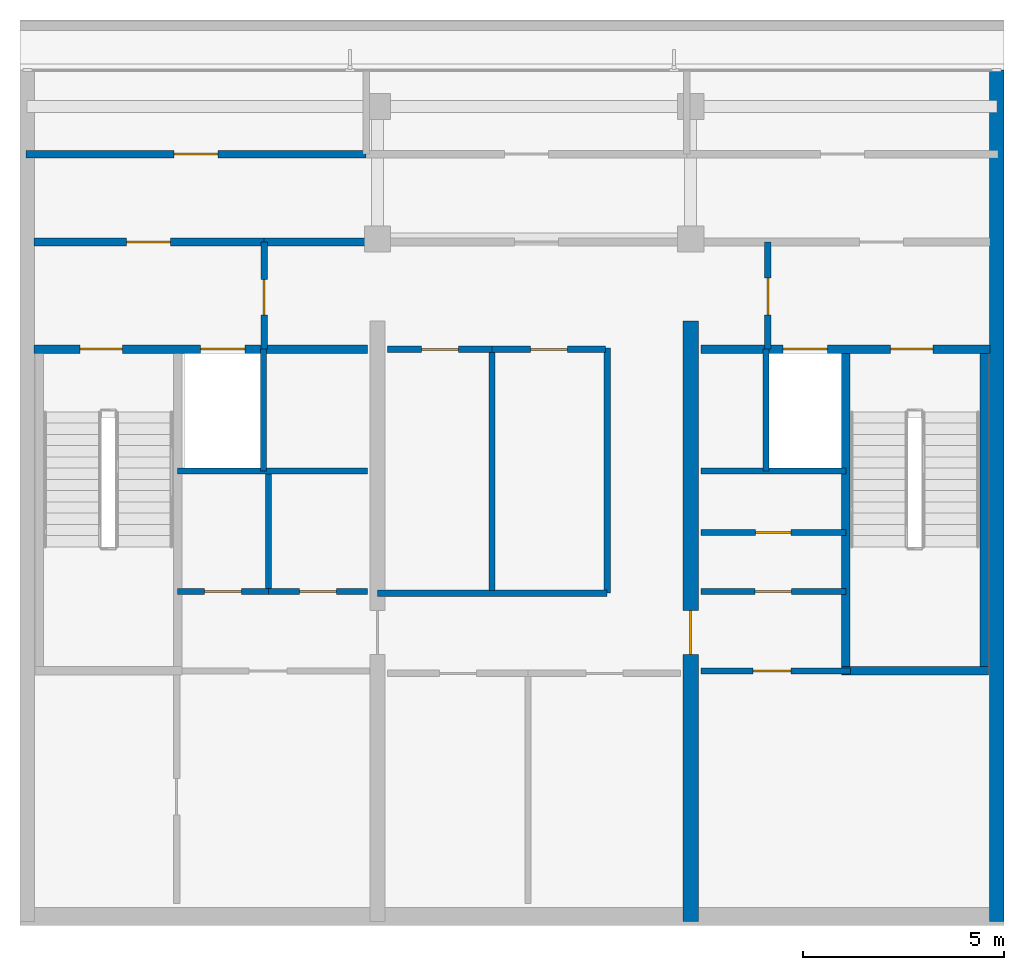
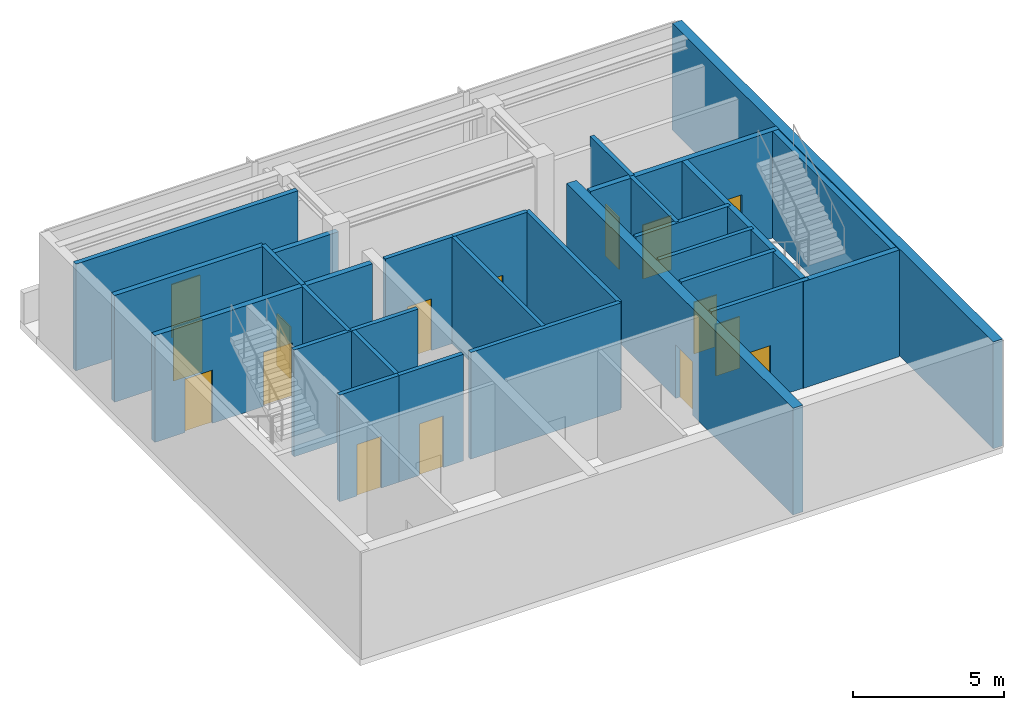
# One storey, part 2 of 4: 27 walls, 16 doors, 16 openings.
"""IFC4 building model written with IfcOpenShell, lengths in metres."""

from ifc_helpers import new_model, si_unit, direction, frame, frame_2d, origin, place, context, subcontext, project, spatial, rectangle, extrude, material, layer, layer_set, type_object, element, fill, save


model = new_model("IFC4")

# Units and contexts
model_context = context("Model", 3, precision=1e-05, world=origin(), true_north=direction((0.0, 1.0)))
body_context = subcontext(model_context, "Body", "Model", "MODEL_VIEW")
ifc_project = project(units=[si_unit("LENGTHUNIT", "METRE"), si_unit("AREAUNIT", "SQUARE_METRE"), si_unit("VOLUMEUNIT", "CUBIC_METRE"), si_unit("PLANEANGLEUNIT", "RADIAN"), si_unit("MASSUNIT", "GRAM", prefix="KILO")], contexts=[model_context])

# Site, building, storey
site_placement = place(None, origin())
site = spatial("IfcSite", under=ifc_project, at=site_placement, CompositionType="ELEMENT")
building_placement = place(site_placement, origin())
building = spatial("IfcBuilding", under=site, at=building_placement, Name="Qalmaran Belvedere Hotel", CompositionType="ELEMENT")
storey_placement = place(building_placement, frame((0.0, 0.0, 312.5)))
storey = spatial("IfcBuildingStorey", under=building, at=storey_placement, Name="C04", CompositionType="ELEMENT", Elevation=312.5)

# Wall, opening, door
ifc_material_1 = material(Name="Concrete C50/60", Category="concrete")
ifc_layer_1 = layer(ifc_material_1, 0.3798828125, Name="Concrete C50/60")
ifc_layer_set_1 = layer_set([ifc_layer_1], Name="Concrete C50/60")
wall_type_1 = type_object("IfcWallType", Name="WL-CORE-380-C50", PredefinedType="SHEAR", material=ifc_layer_set_1)
wall_1_placement = place(storey_placement, frame((37.0, 3.5, 0.0), z_axis=(0.0, 0.0, 1.0), x_axis=(0.0, 1.0, 0.0)))
wall_1 = element("IfcWall", 1, at=wall_1_placement, inside=storey, type_object=wall_type_1, Name="C04 Core East Spine Shear Wall", PredefinedType="SHEAR", context=body_context, shape_type="SweptSolid", body=[
    extrude(rectangle(XDim=14.949951171875, YDim=0.3798828125, at=frame_2d((7.47509765625, 0.0))), origin(), (0.0, 0.0, 1.0), 4.300048828125),
])
opening_1_placement = place(wall_1_placement, frame((6.64990234375, 0.0, 0.0)))
opening_1 = element("IfcOpeningElement", 2, at=opening_1_placement, cuts=wall_1, Name="Opening FD90", PredefinedType="OPENING", context=body_context, shape_type="SweptSolid", body=[
    extrude(rectangle(XDim=1.10009765625, YDim=2.14990234375, at=frame_2d((0.550048828125, 1.074951171875))), frame((0.0, 0.199951171875, 0.0), z_axis=(0.0, -1.0, 0.0), x_axis=(1.0, 0.0, 0.0)), (0.0, 0.0, 1.0), 0.39990234375),
])
ifc_material_2 = material(Name="Steel S355JR", Category="steel")
door_type_1 = type_object("IfcDoorType", Name="DR-FD90-1100X2150", OperationType="NOTDEFINED", PredefinedType="DOOR", material=ifc_material_2)
door_1_placement = place(opening_1_placement, origin())
door_1 = element("IfcDoor", 3, at=door_1_placement, inside=storey, type_object=door_type_1, Name="C04 Core East Cross-Lobby Door", OperationType="SINGLE_SWING_LEFT", OverallHeight=2.14990234375, OverallWidth=1.10009765625, PredefinedType="DOOR", context=body_context, shape_type="SweptSolid", body=[
    extrude(rectangle(XDim=1.10009765625, YDim=2.14990234375, at=frame_2d((0.550048828125, 1.074951171875))), frame((0.0, 0.02490234375, 0.0), z_axis=(0.0, -1.0, 0.0), x_axis=(1.0, 0.0, 0.0)), (0.0, 0.0, 1.0), 0.050048828125),
])
fill(opening_1, door_1)

# Walls
ifc_layer_2 = layer(ifc_material_1, 0.360107421875, Name="Concrete C50/60")
ifc_layer_set_2 = layer_set([ifc_layer_2], Name="Concrete C50/60")
wall_type_2 = type_object("IfcWallType", Name="WL-COREWE-360-EXT", PredefinedType="SHEAR", material=ifc_layer_set_2)
wall_2_placement = place(storey_placement, frame((44.6201171875, 3.5, 0.0), z_axis=(0.0, 0.0, 1.0), x_axis=(0.0, 1.0, 0.0)))
element("IfcWall", 4, at=wall_2_placement, inside=storey, type_object=wall_type_2, Name="C04 East Core Shear Wall", PredefinedType="SHEAR", context=body_context, shape_type="SweptSolid", body=[
    extrude(rectangle(XDim=21.199951171875, YDim=0.360107421875, at=frame_2d((10.60009765625, 0.0))), origin(), (0.0, 0.0, 1.0), 4.300048828125),
])
ifc_material_3 = material(Name="Gypsum Stud Partition")
ifc_layer_3 = layer(ifc_material_3, 0.14990234375, Name="Gypsum Stud Partition")
ifc_layer_set_3 = layer_set([ifc_layer_3], Name="Gypsum Stud Partition")
wall_type_3 = type_object("IfcWallType", Name="WL-INT-150-EI120", PredefinedType="PARTITIONING", material=ifc_layer_set_3)
for number, where, z_axis, x_axis, name in (
    (5, (26.360107421875, 14.719970703125, 0.0), (0.0, 0.0, 1.0), (0.0, 1.0, 0.0), "C04 Partition WL-FF1M-C04"),
    (6, (38.8798828125, 14.719970703125, 0.0), (0.0, 0.0, 1.0), (0.0, 1.0, 0.0), "C04 Partition WL-FF2M-C04"),
):
    element("IfcWall", number, at=place(storey_placement, frame(where, z_axis=z_axis, x_axis=x_axis)), inside=storey, type_object=wall_type_3, Name=name, PredefinedType="PARTITIONING", context=body_context, shape_type="SweptSolid", body=[
        extrude(rectangle(XDim=3.0400390625, YDim=0.14990234375, at=frame_2d((1.52001953125, 0.0))), origin(), (0.0, 0.0, 1.0), 4.300048828125),
    ])
ifc_layer_4 = layer(ifc_material_3, 0.14990234375, Name="Gypsum Stud Partition")
ifc_layer_set_4 = layer_set([ifc_layer_4], Name="Gypsum Stud Partition")
wall_type_4 = type_object("IfcWallType", Name="WL-INT-150-EI60", PredefinedType="PARTITIONING", material=ifc_layer_set_4)
wall_3_placement = place(storey_placement, frame((26.490478515625, 11.719970703125, 0.0), z_axis=(0.0, 0.0, 1.0), x_axis=(0.0, 1.0, 0.0)))
element("IfcWall", 7, at=wall_3_placement, inside=storey, type_object=wall_type_4, Name="C04 Partition WL-C04-KWV1", PredefinedType="PARTITIONING", context=body_context, shape_type="SweptSolid", body=[
    extrude(rectangle(XDim=2.929931640625, YDim=0.14990234375, at=frame_2d((1.46484375, 0.0))), origin(), (0.0, 0.0, 1.0), 4.300048828125),
])

# Wall, opening, door
wall_4_placement = place(storey_placement, frame((37.25, 13.18505859375, 0.0), z_axis=(0.0, 0.0, 1.0), x_axis=(1.0, 0.0, 0.0)))
wall_4 = element("IfcWall", 8, at=wall_4_placement, inside=storey, type_object=wall_type_4, Name="C04 Partition WL-C04-KEHM", PredefinedType="PARTITIONING", context=body_context, shape_type="SweptSolid", body=[
    extrude(rectangle(XDim=3.610107421875, YDim=0.14990234375, at=frame_2d((1.80517578125, 0.0))), origin(), (0.0, 0.0, 1.0), 4.300048828125),
])
opening_2_placement = place(wall_4_placement, frame((1.364990234375, 0.0, 0.0)))
opening_2 = element("IfcOpeningElement", 9, at=opening_2_placement, cuts=wall_4, Name="Opening FD60B", PredefinedType="OPENING", context=body_context, shape_type="SweptSolid", body=[
    extrude(rectangle(XDim=0.8798828125, YDim=2.080078125, at=frame_2d((0.43994140625, 1.0400390625))), frame((0.0, 0.0849609375, 0.0), z_axis=(0.0, -1.0, 0.0), x_axis=(1.0, 0.0, 0.0)), (0.0, 0.0, 1.0), 0.169921875),
])
door_type_2 = type_object("IfcDoorType", Name="DR-FD60B-880X2080", OperationType="NOTDEFINED", PredefinedType="DOOR", material=ifc_material_2)
door_2_placement = place(opening_2_placement, origin())
door_2 = element("IfcDoor", 10, at=door_2_placement, inside=storey, type_object=door_type_2, Name="C04 Fire Main Valve Plant Room Door", OperationType="SINGLE_SWING_RIGHT", OverallHeight=2.080078125, OverallWidth=0.8798828125, PredefinedType="DOOR", context=body_context, shape_type="SweptSolid", body=[
    extrude(rectangle(XDim=0.8798828125, YDim=2.080078125, at=frame_2d((0.43994140625, 1.0400390625))), frame((0.0, 0.02490234375, 0.0), z_axis=(0.0, -1.0, 0.0), x_axis=(1.0, 0.0, 0.0)), (0.0, 0.0, 1.0), 0.050048828125),
])
fill(opening_2, door_2)

# Wall
wall_5_placement = place(storey_placement, frame((32.056396484375, 11.739990234375, 0.0), z_axis=(0.0, 0.0, 1.0), x_axis=(0.0, 1.0, 0.0)))
element("IfcWall", 11, at=wall_5_placement, inside=storey, type_object=wall_type_4, Name="C04 Partition WL-C04-KPMV1", PredefinedType="PARTITIONING", context=body_context, shape_type="SweptSolid", body=[
    extrude(rectangle(XDim=6.010009765625, YDim=0.14990234375, at=frame_2d((3.0048828125, 0.0))), origin(), (0.0, 0.0, 1.0), 4.300048828125),
])

# Wall, opening, door
ifc_layer_5 = layer(ifc_material_3, 0.159912109375, Name="Gypsum Stud Partition")
ifc_layer_set_5 = layer_set([ifc_layer_5], Name="Gypsum Stud Partition")
wall_type_5 = type_object("IfcWallType", Name="WL-INT-160-EI120", PredefinedType="PARTITIONING", material=ifc_layer_set_5)
wall_6_placement = place(storey_placement, frame((26.3798828125, 17.760009765625, 0.0), z_axis=(0.0, 0.0, 1.0), x_axis=(0.0, 1.0, 0.0)))
wall_6 = element("IfcWall", 12, at=wall_6_placement, inside=storey, type_object=wall_type_5, Name="C04 Partition WL-FFSV1-C04", PredefinedType="PARTITIONING", context=body_context, shape_type="SweptSolid", body=[
    extrude(rectangle(XDim=2.659912109375, YDim=0.159912109375, at=frame_2d((1.330078125, 0.0))), origin(), (0.0, 0.0, 1.0), 4.300048828125),
])
opening_3_placement = place(wall_6_placement, frame((0.85009765625, 0.0, 0.0)))
opening_3 = element("IfcOpeningElement", 13, at=opening_3_placement, cuts=wall_6, Name="Opening FD60B", PredefinedType="OPENING", context=body_context, shape_type="SweptSolid", body=[
    extrude(rectangle(XDim=0.8798828125, YDim=2.080078125, at=frame_2d((0.43994140625, 1.0400390625))), frame((0.0, 0.08984375, 0.0), z_axis=(0.0, -1.0, 0.0), x_axis=(1.0, 0.0, 0.0)), (0.0, 0.0, 1.0), 0.179931640625),
])
door_3_placement = place(opening_3_placement, origin())
door_3 = element("IfcDoor", 14, at=door_3_placement, inside=storey, type_object=door_type_2, Name="C04 Service Lobby West Door", OperationType="SINGLE_SWING_RIGHT", OverallHeight=2.080078125, OverallWidth=0.8798828125, PredefinedType="DOOR", context=body_context, shape_type="SweptSolid", body=[
    extrude(rectangle(XDim=0.8798828125, YDim=2.080078125, at=frame_2d((0.43994140625, 1.0400390625))), frame((0.0, 0.02490234375, 0.0), z_axis=(0.0, -1.0, 0.0), x_axis=(1.0, 0.0, 0.0)), (0.0, 0.0, 1.0), 0.050048828125),
])
fill(opening_3, door_3)

wall_7_placement = place(storey_placement, frame((38.919921875, 17.760009765625, 0.0), z_axis=(0.0, 0.0, 1.0), x_axis=(0.0, 1.0, 0.0)))
wall_7 = element("IfcWall", 15, at=wall_7_placement, inside=storey, type_object=wall_type_5, Name="C04 Partition WL-FFSV2-C04", PredefinedType="PARTITIONING", context=body_context, shape_type="SweptSolid", body=[
    extrude(rectangle(XDim=2.659912109375, YDim=0.159912109375, at=frame_2d((1.330078125, 0.0))), origin(), (0.0, 0.0, 1.0), 4.300048828125),
])
opening_4_placement = place(wall_7_placement, frame((1.77001953125, 0.0, 0.0), z_axis=(0.0, 0.0, 1.0), x_axis=(-1.0, 0.0, 0.0)))
opening_4 = element("IfcOpeningElement", 16, at=opening_4_placement, cuts=wall_7, Name="Opening FD60S1", PredefinedType="OPENING", context=body_context, shape_type="SweptSolid", body=[
    extrude(rectangle(XDim=0.919921875, YDim=2.080078125, at=frame_2d((0.4599609375, 1.0400390625))), frame((0.0, 0.08984375, 0.0), z_axis=(0.0, -1.0, 0.0), x_axis=(1.0, 0.0, 0.0)), (0.0, 0.0, 1.0), 0.179931640625),
])
ifc_material_4 = material(Name="Engineered Oak Veneer")
door_type_3 = type_object("IfcDoorType", Name="DR-FD60S-920X2080", OperationType="NOTDEFINED", PredefinedType="DOOR", material=ifc_material_4)
door_4_placement = place(opening_4_placement, origin())
door_4 = element("IfcDoor", 17, at=door_4_placement, inside=storey, type_object=door_type_3, Name="C04 Service Lobby East Door", OperationType="SINGLE_SWING_LEFT", OverallHeight=2.080078125, OverallWidth=0.919921875, PredefinedType="DOOR", context=body_context, shape_type="SweptSolid", body=[
    extrude(rectangle(XDim=0.919921875, YDim=2.080078125, at=frame_2d((0.4599609375, 1.0400390625))), frame((0.0, 0.02490234375, 0.0), z_axis=(0.0, -1.0, 0.0), x_axis=(1.0, 0.0, 0.0)), (0.0, 0.0, 1.0), 0.050048828125),
])
fill(opening_4, door_4)

# Walls
wall_8_placement = place(storey_placement, frame((24.219970703125, 14.719970703125, 0.0), z_axis=(0.0, 0.0, 1.0), x_axis=(1.0, 0.0, 0.0)))
element("IfcWall", 18, at=wall_8_placement, inside=storey, type_object=wall_type_5, Name="C04 Partition WL-FF1S-C04", PredefinedType="PARTITIONING", context=body_context, shape_type="SweptSolid", body=[
    extrude(rectangle(XDim=4.72998046875, YDim=0.159912109375, at=frame_2d((2.364990234375, 0.0))), origin(), (0.0, 0.0, 1.0), 4.300048828125),
])
wall_9_placement = place(storey_placement, frame((37.25, 14.719970703125, 0.0), z_axis=(0.0, 0.0, 1.0), x_axis=(1.0, 0.0, 0.0)))
element("IfcWall", 19, at=wall_9_placement, inside=storey, type_object=wall_type_5, Name="C04 Partition WL-FF2S-C04", PredefinedType="PARTITIONING", context=body_context, shape_type="SweptSolid", body=[
    extrude(rectangle(XDim=3.610107421875, YDim=0.159912109375, at=frame_2d((1.80517578125, 0.0))), origin(), (0.0, 0.0, 1.0), 4.300048828125),
])

# Wall, opening, door
ifc_layer_6 = layer(ifc_material_3, 0.159912109375, Name="Gypsum Stud Partition")
ifc_layer_set_6 = layer_set([ifc_layer_6], Name="Gypsum Stud Partition")
wall_type_6 = type_object("IfcWallType", Name="WL-INT-160-EI60", PredefinedType="PARTITIONING", material=ifc_layer_set_6)
wall_10_placement = place(storey_placement, frame((24.219970703125, 11.719970703125, 0.0), z_axis=(0.0, 0.0, 1.0), x_axis=(1.0, 0.0, 0.0)))
wall_10 = element("IfcWall", 20, at=wall_10_placement, inside=storey, type_object=wall_type_6, Name="C04 Partition WL-C04-KWE1", PredefinedType="PARTITIONING", context=body_context, shape_type="SweptSolid", body=[
    extrude(rectangle(XDim=2.2705078125, YDim=0.159912109375, at=frame_2d((1.13525390625, 0.0))), origin(), (0.0, 0.0, 1.0), 4.300048828125),
])
opening_5_placement = place(wall_10_placement, frame((0.67529296875, 0.0, 0.0)))
opening_5 = element("IfcOpeningElement", 21, at=opening_5_placement, cuts=wall_10, Name="Opening FD60S1", PredefinedType="OPENING", context=body_context, shape_type="SweptSolid", body=[
    extrude(rectangle(XDim=0.919921875, YDim=2.080078125, at=frame_2d((0.4599609375, 1.0400390625))), frame((0.0, 0.08984375, 0.0), z_axis=(0.0, -1.0, 0.0), x_axis=(1.0, 0.0, 0.0)), (0.0, 0.0, 1.0), 0.179931640625),
])
door_5_placement = place(opening_5_placement, origin())
door_5 = element("IfcDoor", 22, at=door_5_placement, inside=storey, type_object=door_type_3, Name="C04 Telecom Control Plant Room Door", OperationType="SINGLE_SWING_LEFT", OverallHeight=2.080078125, OverallWidth=0.919921875, PredefinedType="DOOR", context=body_context, shape_type="SweptSolid", body=[
    extrude(rectangle(XDim=0.919921875, YDim=2.080078125, at=frame_2d((0.4599609375, 1.0400390625))), frame((0.0, 0.02490234375, 0.0), z_axis=(0.0, -1.0, 0.0), x_axis=(1.0, 0.0, 0.0)), (0.0, 0.0, 1.0), 0.050048828125),
])
fill(opening_5, door_5)

wall_11_placement = place(storey_placement, frame((26.490478515625, 11.719970703125, 0.0), z_axis=(0.0, 0.0, 1.0), x_axis=(1.0, 0.0, 0.0)))
wall_11 = element("IfcWall", 23, at=wall_11_placement, inside=storey, type_object=wall_type_6, Name="C04 Partition WL-C04-KWE2", PredefinedType="PARTITIONING", context=body_context, shape_type="SweptSolid", body=[
    extrude(rectangle(XDim=2.45947265625, YDim=0.159912109375, at=frame_2d((1.229736328125, 0.0))), origin(), (0.0, 0.0, 1.0), 4.300048828125),
])
opening_6_placement = place(wall_11_placement, frame((0.769775390625, 0.0, 0.0)))
opening_6 = element("IfcOpeningElement", 24, at=opening_6_placement, cuts=wall_11, Name="Opening FD60S1", PredefinedType="OPENING", context=body_context, shape_type="SweptSolid", body=[
    extrude(rectangle(XDim=0.919921875, YDim=2.080078125, at=frame_2d((0.4599609375, 1.0400390625))), frame((0.0, 0.08984375, 0.0), z_axis=(0.0, -1.0, 0.0), x_axis=(1.0, 0.0, 0.0)), (0.0, 0.0, 1.0), 0.179931640625),
])
door_6_placement = place(opening_6_placement, origin())
door_6 = element("IfcDoor", 25, at=door_6_placement, inside=storey, type_object=door_type_3, Name="C04 Booster Valve Plant Room Door", OperationType="SINGLE_SWING_RIGHT", OverallHeight=2.080078125, OverallWidth=0.919921875, PredefinedType="DOOR", context=body_context, shape_type="SweptSolid", body=[
    extrude(rectangle(XDim=0.919921875, YDim=2.080078125, at=frame_2d((0.4599609375, 1.0400390625))), frame((0.0, 0.02490234375, 0.0), z_axis=(0.0, -1.0, 0.0), x_axis=(1.0, 0.0, 0.0)), (0.0, 0.0, 1.0), 0.050048828125),
])
fill(opening_6, door_6)

wall_12_placement = place(storey_placement, frame((37.25, 11.719970703125, 0.0), z_axis=(0.0, 0.0, 1.0), x_axis=(1.0, 0.0, 0.0)))
wall_12 = element("IfcWall", 26, at=wall_12_placement, inside=storey, type_object=wall_type_6, Name="C04 Partition WL-C04-KEE1", PredefinedType="PARTITIONING", context=body_context, shape_type="SweptSolid", body=[
    extrude(rectangle(XDim=3.610107421875, YDim=0.159912109375, at=frame_2d((1.80517578125, 0.0))), origin(), (0.0, 0.0, 1.0), 4.300048828125),
])
opening_7_placement = place(wall_12_placement, frame((1.344970703125, 0.0, 0.0)))
opening_7 = element("IfcOpeningElement", 27, at=opening_7_placement, cuts=wall_12, Name="Opening FD60S1", PredefinedType="OPENING", context=body_context, shape_type="SweptSolid", body=[
    extrude(rectangle(XDim=0.919921875, YDim=2.080078125, at=frame_2d((0.4599609375, 1.0400390625))), frame((0.0, 0.08984375, 0.0), z_axis=(0.0, -1.0, 0.0), x_axis=(1.0, 0.0, 0.0)), (0.0, 0.0, 1.0), 0.179931640625),
])
door_7_placement = place(opening_7_placement, origin())
door_7 = element("IfcDoor", 28, at=door_7_placement, inside=storey, type_object=door_type_3, Name="C04 Low Voltage Switch Plant Room Door", OperationType="SINGLE_SWING_LEFT", OverallHeight=2.080078125, OverallWidth=0.919921875, PredefinedType="DOOR", context=body_context, shape_type="SweptSolid", body=[
    extrude(rectangle(XDim=0.919921875, YDim=2.080078125, at=frame_2d((0.4599609375, 1.0400390625))), frame((0.0, 0.02490234375, 0.0), z_axis=(0.0, -1.0, 0.0), x_axis=(1.0, 0.0, 0.0)), (0.0, 0.0, 1.0), 0.050048828125),
])
fill(opening_7, door_7)

wall_13_placement = place(storey_placement, frame((37.25, 9.739990234375, 0.0), z_axis=(0.0, 0.0, 1.0), x_axis=(1.0, 0.0, 0.0)))
wall_13 = element("IfcWall", 29, at=wall_13_placement, inside=storey, type_object=wall_type_6, Name="C04 Partition WL-PHFR-C04", PredefinedType="PARTITIONING", context=body_context, shape_type="SweptSolid", body=[
    extrude(rectangle(XDim=3.72998046875, YDim=0.159912109375, at=frame_2d((1.864990234375, 0.0))), origin(), (0.0, 0.0, 1.0), 4.300048828125),
])
opening_8_placement = place(wall_13_placement, frame((2.25, 0.0, 0.0), z_axis=(0.0, 0.0, 1.0), x_axis=(-1.0, 0.0, 0.0)))
opening_8 = element("IfcOpeningElement", 30, at=opening_8_placement, cuts=wall_13, Name="Opening FD60", PredefinedType="OPENING", context=body_context, shape_type="SweptSolid", body=[
    extrude(rectangle(XDim=0.949951171875, YDim=2.14990234375, at=frame_2d((0.47509765625, 1.074951171875))), frame((0.0, 0.08984375, 0.0), z_axis=(0.0, -1.0, 0.0), x_axis=(1.0, 0.0, 0.0)), (0.0, 0.0, 1.0), 0.179931640625),
])
door_type_4 = type_object("IfcDoorType", Name="DR-FD60-950X2150", OperationType="NOTDEFINED", PredefinedType="DOOR", material=ifc_material_4)
door_8_placement = place(opening_8_placement, origin())
door_8 = element("IfcDoor", 31, at=door_8_placement, inside=storey, type_object=door_type_4, Name="C04 Freed PH Room Door", OperationType="SINGLE_SWING_LEFT", OverallHeight=2.14990234375, OverallWidth=0.949951171875, PredefinedType="DOOR", context=body_context, shape_type="SweptSolid", body=[
    extrude(rectangle(XDim=0.949951171875, YDim=2.14990234375, at=frame_2d((0.47509765625, 1.074951171875))), frame((0.0, 0.02490234375, 0.0), z_axis=(0.0, -1.0, 0.0), x_axis=(1.0, 0.0, 0.0)), (0.0, 0.0, 1.0), 0.050048828125),
])
fill(opening_8, door_8)

# Walls
wall_14_placement = place(storey_placement, frame((34.919921875, 11.679931640625, 0.0), z_axis=(0.0, 0.0, 1.0), x_axis=(0.0, 1.0, 0.0)))
element("IfcWall", 32, at=wall_14_placement, inside=storey, type_object=wall_type_6, Name="C04 Partition WL-CLLV-C04", PredefinedType="PARTITIONING", context=body_context, shape_type="SweptSolid", body=[
    extrude(rectangle(XDim=6.10009765625, YDim=0.159912109375, at=frame_2d((3.050048828125, 0.0))), origin(), (0.0, 0.0, 1.0), 4.300048828125),
])
wall_15_placement = place(storey_placement, frame((29.199951171875, 11.679931640625, 0.0), z_axis=(0.0, 0.0, 1.0), x_axis=(1.0, 0.0, 0.0)))
element("IfcWall", 33, at=wall_15_placement, inside=storey, type_object=wall_type_6, Name="C04 Partition WL-PMFS-C04", PredefinedType="PARTITIONING", context=body_context, shape_type="SweptSolid", body=[
    extrude(rectangle(XDim=5.719970703125, YDim=0.159912109375, at=frame_2d((2.85986328125, 0.0))), origin(), (0.0, 0.0, 1.0), 4.300048828125),
])

# Wall, opening, door
wall_16_placement = place(storey_placement, frame((29.449951171875, 17.75, 0.0), z_axis=(0.0, 0.0, 1.0), x_axis=(1.0, 0.0, 0.0)))
wall_16 = element("IfcWall", 34, at=wall_16_placement, inside=storey, type_object=wall_type_6, Name="C04 Partition WL-C04-KPME1", PredefinedType="PARTITIONING", context=body_context, shape_type="SweptSolid", body=[
    extrude(rectangle(XDim=2.6064453125, YDim=0.159912109375, at=frame_2d((1.30322265625, 0.0))), origin(), (0.0, 0.0, 1.0), 4.300048828125),
])
opening_9_placement = place(wall_16_placement, frame((1.76318359375, 0.0, 0.0), z_axis=(0.0, 0.0, 1.0), x_axis=(-1.0, 0.0, 0.0)))
opening_9 = element("IfcOpeningElement", 35, at=opening_9_placement, cuts=wall_16, Name="Opening FD60S1", PredefinedType="OPENING", context=body_context, shape_type="SweptSolid", body=[
    extrude(rectangle(XDim=0.919921875, YDim=2.080078125, at=frame_2d((0.4599609375, 1.0400390625))), frame((0.0, 0.08984375, 0.0), z_axis=(0.0, -1.0, 0.0), x_axis=(1.0, 0.0, 0.0)), (0.0, 0.0, 1.0), 0.179931640625),
])
door_9_placement = place(opening_9_placement, origin())
door_9 = element("IfcDoor", 36, at=door_9_placement, inside=storey, type_object=door_type_3, Name="C04 Ventilation Fan Plant Room Door", OperationType="SINGLE_SWING_RIGHT", OverallHeight=2.080078125, OverallWidth=0.919921875, PredefinedType="DOOR", context=body_context, shape_type="SweptSolid", body=[
    extrude(rectangle(XDim=0.919921875, YDim=2.080078125, at=frame_2d((0.4599609375, 1.0400390625))), frame((0.0, 0.02490234375, 0.0), z_axis=(0.0, -1.0, 0.0), x_axis=(1.0, 0.0, 0.0)), (0.0, 0.0, 1.0), 0.050048828125),
])
fill(opening_9, door_9)

wall_17_placement = place(storey_placement, frame((32.056396484375, 17.75, 0.0), z_axis=(0.0, 0.0, 1.0), x_axis=(1.0, 0.0, 0.0)))
wall_17 = element("IfcWall", 37, at=wall_17_placement, inside=storey, type_object=wall_type_6, Name="C04 Partition WL-C04-KPME2", PredefinedType="PARTITIONING", context=body_context, shape_type="SweptSolid", body=[
    extrude(rectangle(XDim=2.823486328125, YDim=0.159912109375, at=frame_2d((1.41162109375, 0.0))), origin(), (0.0, 0.0, 1.0), 4.300048828125),
])
opening_10_placement = place(wall_17_placement, frame((1.871826171875, 0.0, 0.0), z_axis=(0.0, 0.0, 1.0), x_axis=(-1.0, 0.0, 0.0)))
opening_10 = element("IfcOpeningElement", 38, at=opening_10_placement, cuts=wall_17, Name="Opening FD60S1", PredefinedType="OPENING", context=body_context, shape_type="SweptSolid", body=[
    extrude(rectangle(XDim=0.919921875, YDim=2.080078125, at=frame_2d((0.4599609375, 1.0400390625))), frame((0.0, 0.08984375, 0.0), z_axis=(0.0, -1.0, 0.0), x_axis=(1.0, 0.0, 0.0)), (0.0, 0.0, 1.0), 0.179931640625),
])
door_10_placement = place(opening_10_placement, origin())
door_10 = element("IfcDoor", 39, at=door_10_placement, inside=storey, type_object=door_type_3, Name="C04 Auxiliary Fan Plant Room Door", OperationType="SINGLE_SWING_LEFT", OverallHeight=2.080078125, OverallWidth=0.919921875, PredefinedType="DOOR", context=body_context, shape_type="SweptSolid", body=[
    extrude(rectangle(XDim=0.919921875, YDim=2.080078125, at=frame_2d((0.4599609375, 1.0400390625))), frame((0.0, 0.02490234375, 0.0), z_axis=(0.0, -1.0, 0.0), x_axis=(1.0, 0.0, 0.0)), (0.0, 0.0, 1.0), 0.050048828125),
])
fill(opening_10, door_10)

ifc_layer_7 = layer(ifc_material_3, 0.179931640625, Name="Gypsum Stud Partition")
ifc_layer_set_7 = layer_set([ifc_layer_7], Name="Gypsum Stud Partition")
wall_type_7 = type_object("IfcWallType", Name="WL-INT-180-EI120", PredefinedType="PARTITIONING", material=ifc_layer_set_7)
wall_18_placement = place(storey_placement, frame((20.449951171875, 22.610107421875, 0.0), z_axis=(0.0, 0.0, 1.0), x_axis=(1.0, 0.0, 0.0)))
wall_18 = element("IfcWall", 40, at=wall_18_placement, inside=storey, type_object=wall_type_7, Name="C04 Partition WL-C04-CCN1", PredefinedType="PARTITIONING", context=body_context, shape_type="SweptSolid", body=[
    extrude(rectangle(XDim=8.469970703125, YDim=0.179931640625, at=frame_2d((4.23486328125, 0.0))), origin(), (0.0, 0.0, 1.0), 4.300048828125),
])
opening_11_placement = place(wall_18_placement, frame((3.68505859375, 0.0, 0.0)))
opening_11 = element("IfcOpeningElement", 41, at=opening_11_placement, cuts=wall_18, Name="Opening FD90", PredefinedType="OPENING", context=body_context, shape_type="SweptSolid", body=[
    extrude(rectangle(XDim=1.10009765625, YDim=2.14990234375, at=frame_2d((0.550048828125, 1.074951171875))), frame((0.0, 0.10009765625, 0.0), z_axis=(0.0, -1.0, 0.0), x_axis=(1.0, 0.0, 0.0)), (0.0, 0.0, 1.0), 0.199951171875),
])
door_11_placement = place(opening_11_placement, origin())
door_11 = element("IfcDoor", 42, at=door_11_placement, inside=storey, type_object=door_type_1, Name="C04 Heat Rejection Chiller Plant Room Door", OperationType="SINGLE_SWING_RIGHT", OverallHeight=2.14990234375, OverallWidth=1.10009765625, PredefinedType="DOOR", context=body_context, shape_type="SweptSolid", body=[
    extrude(rectangle(XDim=1.10009765625, YDim=2.14990234375, at=frame_2d((0.550048828125, 1.074951171875))), frame((0.0, 0.02490234375, 0.0), z_axis=(0.0, -1.0, 0.0), x_axis=(1.0, 0.0, 0.0)), (0.0, 0.0, 1.0), 0.050048828125),
])
fill(opening_11, door_11)

ifc_material_5 = material(Name="Concrete C30/37 Blockwork", Category="masonry")
ifc_layer_8 = layer(ifc_material_5, 0.199951171875, Name="Concrete C30/37 Blockwork")
ifc_layer_set_8 = layer_set([ifc_layer_8], Name="Concrete C30/37 Blockwork")
wall_type_8 = type_object("IfcWallType", Name="WL-INT-200-EI120", PredefinedType="PARTITIONING", material=ifc_layer_set_8)
wall_19_placement = place(storey_placement, frame((20.64990234375, 20.419921875, 0.0), z_axis=(0.0, 0.0, 1.0), x_axis=(1.0, 0.0, 0.0)))
wall_19 = element("IfcWall", 43, at=wall_19_placement, inside=storey, type_object=wall_type_8, Name="C04 Partition WL-CN1A-C04", PredefinedType="PARTITIONING", context=body_context, shape_type="SweptSolid", body=[
    extrude(rectangle(XDim=5.72998046875, YDim=0.199951171875, at=frame_2d((2.864990234375, 0.0))), origin(), (0.0, 0.0, 1.0), 4.300048828125),
])
opening_12_placement = place(wall_19_placement, frame((2.300048828125, 0.0, 0.0)))
opening_12 = element("IfcOpeningElement", 44, at=opening_12_placement, cuts=wall_19, Name="Opening FD90", PredefinedType="OPENING", context=body_context, shape_type="SweptSolid", body=[
    extrude(rectangle(XDim=1.10009765625, YDim=2.14990234375, at=frame_2d((0.550048828125, 1.074951171875))), frame((0.0, 0.10986328125, 0.0), z_axis=(0.0, -1.0, 0.0), x_axis=(1.0, 0.0, 0.0)), (0.0, 0.0, 1.0), 0.219970703125),
])
door_12_placement = place(opening_12_placement, origin())
door_12 = element("IfcDoor", 45, at=door_12_placement, inside=storey, type_object=door_type_1, Name="C04 FF1 Lobby Corridor Door", OperationType="SINGLE_SWING_RIGHT", OverallHeight=2.14990234375, OverallWidth=1.10009765625, PredefinedType="DOOR", context=body_context, shape_type="SweptSolid", body=[
    extrude(rectangle(XDim=1.10009765625, YDim=2.14990234375, at=frame_2d((0.550048828125, 1.074951171875))), frame((0.0, 0.02490234375, 0.0), z_axis=(0.0, -1.0, 0.0), x_axis=(1.0, 0.0, 0.0)), (0.0, 0.0, 1.0), 0.050048828125),
])
fill(opening_12, door_12)

# Wall
wall_20_placement = place(storey_placement, frame((26.3798828125, 20.419921875, 0.0), z_axis=(0.0, 0.0, 1.0), x_axis=(1.0, 0.0, 0.0)))
element("IfcWall", 46, at=wall_20_placement, inside=storey, type_object=wall_type_8, Name="C04 Partition WL-CN1B-C04", PredefinedType="PARTITIONING", context=body_context, shape_type="SweptSolid", body=[
    extrude(rectangle(XDim=2.820068359375, YDim=0.199951171875, at=frame_2d((1.41015625, 0.0))), origin(), (0.0, 0.0, 1.0), 3.885009765625),
])

# Wall, openings, doors
ifc_layer_9 = layer(ifc_material_1, 0.2099609375, Name="Concrete C50/60")
ifc_layer_set_9 = layer_set([ifc_layer_9], Name="Concrete C50/60")
wall_type_9 = type_object("IfcWallType", Name="WL-STAIR-210-C50", PredefinedType="SHEAR", material=ifc_layer_set_9)
wall_21_placement = place(storey_placement, frame((20.64990234375, 17.7548828125, 0.0), z_axis=(0.0, 0.0, 1.0), x_axis=(1.0, 0.0, 0.0)))
wall_21 = element("IfcWall", 47, at=wall_21_placement, inside=storey, type_object=wall_type_9, Name="C04 West Lobby and Stair ST-1 North Bearing Wall", PredefinedType="SHEAR", context=body_context, shape_type="SweptSolid", body=[
    extrude(rectangle(XDim=8.300048828125, YDim=0.2099609375, at=frame_2d((4.14990234375, 0.0))), origin(), (0.0, 0.0, 1.0), 4.300048828125),
])
opening_13_placement = place(wall_21_placement, frame((2.199951171875, 0.0, 0.0), z_axis=(0.0, 0.0, 1.0), x_axis=(-1.0, 0.0, 0.0)))
opening_13 = element("IfcOpeningElement", 48, at=opening_13_placement, cuts=wall_21, Name="Opening FD90S2", PredefinedType="OPENING", context=body_context, shape_type="SweptSolid", body=[
    extrude(rectangle(XDim=1.050048828125, YDim=2.14990234375, at=frame_2d((0.52490234375, 1.074951171875))), frame((0.0, 0.114990234375, 0.0), z_axis=(0.0, -1.0, 0.0), x_axis=(1.0, 0.0, 0.0)), (0.0, 0.0, 1.0), 0.22998046875),
])
opening_14_placement = place(wall_21_placement, frame((4.14990234375, 0.0, 0.0)))
opening_14 = element("IfcOpeningElement", 49, at=opening_14_placement, cuts=wall_21, Name="Opening LD-FF", PredefinedType="OPENING", context=body_context, shape_type="SweptSolid", body=[
    extrude(rectangle(XDim=1.10009765625, YDim=2.179931640625, at=frame_2d((0.550048828125, 1.08984375))), frame((0.0, 0.114990234375, 0.0), z_axis=(0.0, -1.0, 0.0), x_axis=(1.0, 0.0, 0.0)), (0.0, 0.0, 1.0), 0.22998046875),
])
door_type_5 = type_object("IfcDoorType", Name="DR-FD90S-1050X2150", OperationType="NOTDEFINED", PredefinedType="DOOR", material=ifc_material_2)
door_13_placement = place(opening_13_placement, origin())
door_13 = element("IfcDoor", 50, at=door_13_placement, inside=storey, type_object=door_type_5, Name="C04 Stair ST-1 Door", OperationType="SINGLE_SWING_RIGHT", OverallHeight=2.14990234375, OverallWidth=1.050048828125, PredefinedType="DOOR", context=body_context, shape_type="SweptSolid", body=[
    extrude(rectangle(XDim=1.050048828125, YDim=2.14990234375, at=frame_2d((0.52490234375, 1.074951171875))), frame((0.0, 0.02490234375, 0.0), z_axis=(0.0, -1.0, 0.0), x_axis=(1.0, 0.0, 0.0)), (0.0, 0.0, 1.0), 0.050048828125),
])
fill(opening_13, door_13)
ifc_material_6 = material(Name="Stainless Steel 1.4401", Category="steel")
door_type_6 = type_object("IfcDoorType", Name="DR-LIFT-FF-1100X2180", OperationType="DOUBLE_DOOR_SLIDING", PredefinedType="DOOR", material=ifc_material_6)
door_14_placement = place(opening_14_placement, origin())
door_14 = element("IfcDoor", 51, at=door_14_placement, inside=storey, type_object=door_type_6, Name="C04 FF1 Lift Landing Door", OperationType="DOUBLE_DOOR_SLIDING", OverallHeight=2.179931640625, OverallWidth=1.10009765625, PredefinedType="DOOR", context=body_context, shape_type="SweptSolid", body=[
    extrude(rectangle(XDim=1.10009765625, YDim=2.179931640625, at=frame_2d((0.550048828125, 1.08984375))), frame((0.0, 0.02490234375, 0.0), z_axis=(0.0, -1.0, 0.0), x_axis=(1.0, 0.0, 0.0)), (0.0, 0.0, 1.0), 0.050048828125),
])
fill(opening_14, door_14)

# Walls
for number, where, z_axis, x_axis, name in (
    (52, (40.85498046875, 9.7451171875, 0.0), (0.0, 0.0, 1.0), (0.0, 1.0, 0.0), "C04 Stair ST-2 West Bearing Wall"),
    (53, (44.304931640625, 9.7451171875, 0.0), (0.0, 0.0, 1.0), (0.0, 1.0, 0.0), "C04 Stair ST-2 East Bearing Wall"),
):
    element("IfcWall", number, at=place(storey_placement, frame(where, z_axis=z_axis, x_axis=x_axis)), inside=storey, type_object=wall_type_9, Name=name, PredefinedType="SHEAR", context=body_context, shape_type="SweptSolid", body=[
        extrude(rectangle(XDim=8.009765625, YDim=0.2099609375, at=frame_2d((4.0048828125, 0.0))), origin(), (0.0, 0.0, 1.0), 4.300048828125),
    ])
wall_22_placement = place(storey_placement, frame((40.75, 9.7451171875, 0.0), z_axis=(0.0, 0.0, 1.0), x_axis=(1.0, 0.0, 0.0)))
element("IfcWall", 54, at=wall_22_placement, inside=storey, type_object=wall_type_9, Name="C04 Stair ST-2 South Bearing Wall", PredefinedType="SHEAR", context=body_context, shape_type="SweptSolid", body=[
    extrude(rectangle(XDim=3.659912109375, YDim=0.2099609375, at=frame_2d((1.830078125, 0.0))), origin(), (0.0, 0.0, 1.0), 4.300048828125),
])

# Wall, openings, doors
wall_23_placement = place(storey_placement, frame((37.25, 17.7548828125, 0.0), z_axis=(0.0, 0.0, 1.0), x_axis=(1.0, 0.0, 0.0)))
wall_23 = element("IfcWall", 55, at=wall_23_placement, inside=storey, type_object=wall_type_9, Name="C04 East Lobby and Stair ST-2 North Bearing Wall", PredefinedType="SHEAR", context=body_context, shape_type="SweptSolid", body=[
    extrude(rectangle(XDim=7.199951171875, YDim=0.2099609375, at=frame_2d((3.60009765625, 0.0))), origin(), (0.0, 0.0, 1.0), 4.300048828125),
])
opening_15_placement = place(wall_23_placement, frame((2.050048828125, 0.0, 0.0)))
opening_15 = element("IfcOpeningElement", 56, at=opening_15_placement, cuts=wall_23, Name="Opening LD-FF", PredefinedType="OPENING", context=body_context, shape_type="SweptSolid", body=[
    extrude(rectangle(XDim=1.10009765625, YDim=2.179931640625, at=frame_2d((0.550048828125, 1.08984375))), frame((0.0, 0.114990234375, 0.0), z_axis=(0.0, -1.0, 0.0), x_axis=(1.0, 0.0, 0.0)), (0.0, 0.0, 1.0), 0.22998046875),
])
opening_16_placement = place(wall_23_placement, frame((5.780029296875, 0.0, 0.0), z_axis=(0.0, 0.0, 1.0), x_axis=(-1.0, 0.0, 0.0)))
opening_16 = element("IfcOpeningElement", 57, at=opening_16_placement, cuts=wall_23, Name="Opening FD90S2", PredefinedType="OPENING", context=body_context, shape_type="SweptSolid", body=[
    extrude(rectangle(XDim=1.050048828125, YDim=2.14990234375, at=frame_2d((0.52490234375, 1.074951171875))), frame((0.0, 0.114990234375, 0.0), z_axis=(0.0, -1.0, 0.0), x_axis=(1.0, 0.0, 0.0)), (0.0, 0.0, 1.0), 0.22998046875),
])
door_15_placement = place(opening_16_placement, origin())
door_15 = element("IfcDoor", 58, at=door_15_placement, inside=storey, type_object=door_type_5, Name="C04 Stair ST-2 Door", OperationType="SINGLE_SWING_LEFT", OverallHeight=2.14990234375, OverallWidth=1.050048828125, PredefinedType="DOOR", context=body_context, shape_type="SweptSolid", body=[
    extrude(rectangle(XDim=1.050048828125, YDim=2.14990234375, at=frame_2d((0.52490234375, 1.074951171875))), frame((0.0, 0.02490234375, 0.0), z_axis=(0.0, -1.0, 0.0), x_axis=(1.0, 0.0, 0.0)), (0.0, 0.0, 1.0), 0.050048828125),
])
fill(opening_16, door_15)
door_16_placement = place(opening_15_placement, origin())
door_16 = element("IfcDoor", 59, at=door_16_placement, inside=storey, type_object=door_type_6, Name="C04 FF2 Lift Landing Door", OperationType="DOUBLE_DOOR_SLIDING", OverallHeight=2.179931640625, OverallWidth=1.10009765625, PredefinedType="DOOR", context=body_context, shape_type="SweptSolid", body=[
    extrude(rectangle(XDim=1.10009765625, YDim=2.179931640625, at=frame_2d((0.550048828125, 1.08984375))), frame((0.0, 0.02490234375, 0.0), z_axis=(0.0, -1.0, 0.0), x_axis=(1.0, 0.0, 0.0)), (0.0, 0.0, 1.0), 0.050048828125),
])
fill(opening_15, door_16)

save(model, "model.ifc")
